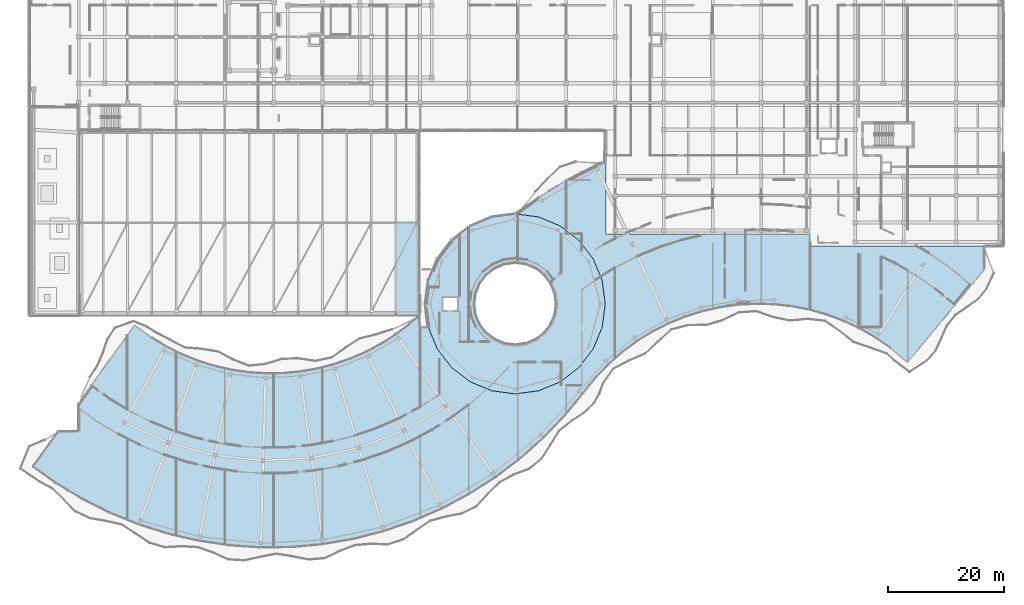
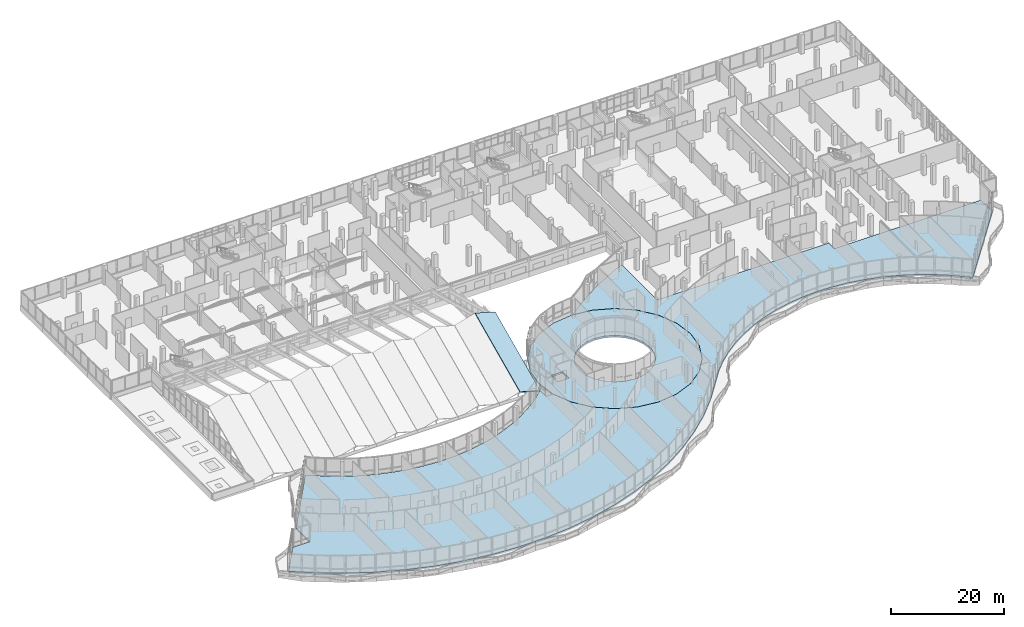
# One storey, part 148 of 184: 3 slabs.
"""IFC4 building model written with IfcOpenShell, lengths in metres."""

from ifc_helpers import new_model, si_unit, direction, frame, origin, place, context, subcontext, project, spatial, polyline, outline, extrude, material, layer, layer_set, type_object, element, save


model = new_model("IFC4")

# Units and contexts
model_context = context("Model", 3, precision=1e-05, world=origin(), true_north=direction((0.0, 1.0)))
body_context = subcontext(model_context, "Body", "Model", "MODEL_VIEW")
ifc_project = project(units=[si_unit("LENGTHUNIT", "METRE"), si_unit("AREAUNIT", "SQUARE_METRE"), si_unit("VOLUMEUNIT", "CUBIC_METRE"), si_unit("PLANEANGLEUNIT", "RADIAN"), si_unit("MASSUNIT", "GRAM", prefix="KILO")], contexts=[model_context])

# Site, building, storey
site_placement = place(None, origin())
site = spatial("IfcSite", under=ifc_project, at=site_placement, CompositionType="ELEMENT")
building_placement = place(site_placement, origin())
building = spatial("IfcBuilding", under=site, at=building_placement, Name="Selatvlak General Hospital", CompositionType="ELEMENT")
storey_placement = place(building_placement, frame((0.0, 0.0, 15.0)))
storey = spatial("IfcBuildingStorey", under=building, at=storey_placement, Name="L03", CompositionType="ELEMENT", Elevation=15.0)

# Slabs
ifc_material = material(Name="Concrete C40/50", Category="concrete")
ifc_layer_1 = layer(ifc_material, 0.340087890625, Name="Concrete C40/50", Category="concrete")
ifc_layer_set_1 = layer_set([ifc_layer_1], Name="Concrete C40/50")
slab_type_1 = type_object("IfcSlabType", Name="SLAB-SL-FL3", PredefinedType="FLOOR", material=ifc_layer_set_1)
slab_1_placement = place(storey_placement, frame((0.0, 0.0, -0.340087890625)))
element("IfcSlab", 1, at=slab_1_placement, inside=storey, type_object=slab_type_1, Name="L03 V1 structural slab", PredefinedType="FLOOR", context=body_context, shape_type="SweptSolid", body=[
    extrude(outline(polyline([(111.423095703125, 46.25), (108.9599609375, 43.0400390625), (105.75, 40.576904296875), (102.011962890625, 39.028076171875), (98.0, 38.5), (93.988037109375, 39.028076171875), (90.25, 40.576904296875), (87.0400390625, 43.0400390625), (84.576904296875, 46.25), (83.028076171875, 49.988037109375), (82.5, 54.0), (83.028076171875, 58.011962890625), (84.576904296875, 61.75), (87.0400390625, 64.9599609375), (90.25, 67.423095703125), (93.988037109375, 68.971923828125), (98.0, 69.5), (102.011962890625, 68.971923828125), (105.75, 67.423095703125), (108.9599609375, 64.9599609375), (111.423095703125, 61.75), (112.971923828125, 58.011962890625), (113.5, 54.0), (112.971923828125, 49.988037109375), (111.423095703125, 46.25)]), holes=[polyline([(104.235107421875, 57.60009765625), (103.091064453125, 59.091064453125), (101.60009765625, 60.235107421875), (99.863037109375, 60.955078125), (98.0, 61.199951171875), (96.136962890625, 60.955078125), (94.39990234375, 60.235107421875), (92.908935546875, 59.091064453125), (91.764892578125, 57.60009765625), (91.044921875, 55.863037109375), (90.800048828125, 54.0), (91.044921875, 52.136962890625), (91.764892578125, 50.39990234375), (92.908935546875, 48.908935546875), (94.39990234375, 47.764892578125), (96.136962890625, 47.044921875), (98.0, 46.800048828125), (99.863037109375, 47.044921875), (101.60009765625, 47.764892578125), (103.091064453125, 48.908935546875), (104.235107421875, 50.39990234375), (104.955078125, 52.136962890625), (105.199951171875, 54.0), (104.955078125, 55.863037109375), (104.235107421875, 57.60009765625)]), polyline([(88.0, 55.10009765625), (85.60009765625, 55.10009765625), (85.60009765625, 52.89990234375), (88.0, 52.89990234375), (88.0, 55.10009765625)])]), origin(), (0.0, 0.0, 1.0), 0.340087890625),
])
slab_2_placement = place(storey_placement, frame((0.0, 0.0, -0.340087890625)))
element("IfcSlab", 2, at=slab_2_placement, inside=storey, type_object=slab_type_1, Name="L03 V6 structural slab", PredefinedType="FLOOR", context=body_context, shape_type="SweptSolid", body=[
    extrude(outline(polyline([(40.549072265625, 45.3310546875), (43.31298828125, 44.2119140625), (46.157958984375, 43.31494140625), (49.06298828125, 42.64697265625), (52.011962890625, 42.212890625), (54.988037109375, 42.012939453125), (57.967041015625, 42.051025390625), (60.93603515625, 42.325927734375), (63.873046875, 42.8359375), (66.763916015625, 43.5791015625), (69.58203125, 44.5458984375), (72.31396484375, 45.735107421875), (74.947021484375, 47.138916015625), (77.4580078125, 48.74609375), (79.83203125, 50.547119140625), (81.4599609375, 52.0), (81.60009765625, 52.0), (81.60009765625, 50.0), (83.01806640625, 50.0), (84.570068359375, 46.2470703125), (87.033935546875, 43.034912109375), (90.2451171875, 40.571044921875), (93.985107421875, 39.02099609375), (97.9990234375, 38.491943359375), (102.012939453125, 39.02001953125), (105.7529296875, 40.570068359375), (108.965087890625, 43.033935546875), (111.428955078125, 46.2451171875), (112.97900390625, 49.985107421875), (113.508056640625, 53.9990234375), (112.97998046875, 58.012939453125), (111.429931640625, 61.7529296875), (108.966064453125, 64.965087890625), (105.7548828125, 67.428955078125), (102.014892578125, 68.97900390625), (98.216064453125, 69.47998046875), (102.152099609375, 72.39111328125), (106.91796875, 75.3369140625), (111.909912109375, 77.876953125), (113.592041015625, 78.56396484375), (113.592041015625, 66.0), (148.7919921875, 65.991943359375), (148.7919921875, 64.0), (178.800048828125, 63.991943359375), (178.800048828125, 59.947998046875), (165.56201171875, 43.9619140625), (162.695068359375, 46.35302734375), (160.14208984375, 48.131103515625), (157.448974609375, 49.693115234375), (154.635009765625, 51.02587890625), (151.722900390625, 52.12109375), (148.73095703125, 52.969970703125), (145.676025390625, 53.568115234375), (142.5810546875, 53.910888671875), (139.468994140625, 53.99609375), (136.364990234375, 53.823974609375), (133.281005859375, 53.39306640625), (130.243896484375, 52.708984375), (127.277099609375, 51.77587890625), (124.39599609375, 50.59912109375), (121.6201171875, 49.18701171875), (118.97412109375, 47.551025390625), (116.471923828125, 45.699951171875), (114.132080078125, 43.64892578125), (111.968994140625, 41.408935546875), (109.6240234375, 38.51904296875), (106.612060546875, 34.837890625), (102.904052734375, 30.9580078125), (98.89990234375, 27.386962890625), (94.6240234375, 24.14208984375), (90.10302734375, 21.2490234375), (85.3701171875, 18.72509765625), (80.447998046875, 16.58203125), (75.3701171875, 14.839111328125), (70.175048828125, 13.506103515625), (64.887939453125, 12.587890625), (59.54296875, 12.093017578125), (54.176025390625, 12.02490234375), (48.822021484375, 12.383056640625), (43.512939453125, 13.1650390625), (38.281982421875, 14.366943359375), (33.1650390625, 15.97998046875), (28.19091796875, 17.9951171875), (23.39306640625, 20.39794921875), (18.799072265625, 23.176025390625), (14.9189453125, 25.951904296875), (19.26904296875, 32.0), (22.800048828125, 32.0), (22.800048828125, 36.907958984375), (32.43701171875, 50.305908203125), (35.3330078125, 48.2080078125), (37.883056640625, 46.666015625), (40.549072265625, 45.3310546875)])), origin(), (0.0, 0.0, 1.0), 0.340087890625),
])
ifc_layer_2 = layer(ifc_material, 0.2119140625, Name="Concrete C40/50", Category="concrete")
ifc_layer_set_2 = layer_set([ifc_layer_2], Name="Concrete C40/50")
slab_type_2 = type_object("IfcSlabType", Name="SLAB-SL-FP2", PredefinedType="ROOF", material=ifc_layer_set_2)
slab_3_placement = place(storey_placement, frame((77.425048828125, 52.0, 1.199951171875), z_axis=(0.253804282001, -0.406554432387, 0.877665585485), x_axis=(0.960640552029, 1.0082859e-05, -0.277794401843)))
element("IfcSlab", 3, at=slab_3_placement, inside=storey, type_object=slab_type_2, Name="Folded-plate roof facet RF-FP-27", PredefinedType="ROOF", context=body_context, shape_type="SweptSolid", body=[
    extrude(outline(polyline([(0.0, 0.0), (4.319904196399222, 1.6653345369377348e-16), (2.2644138257872024, 17.485344124397553), (-2.055558191510907, 17.48543947479634), (0.0, 0.0)])), origin(), (0.0, 0.0, -1.0), 0.2119140625),
])

save(model, "model.ifc")
